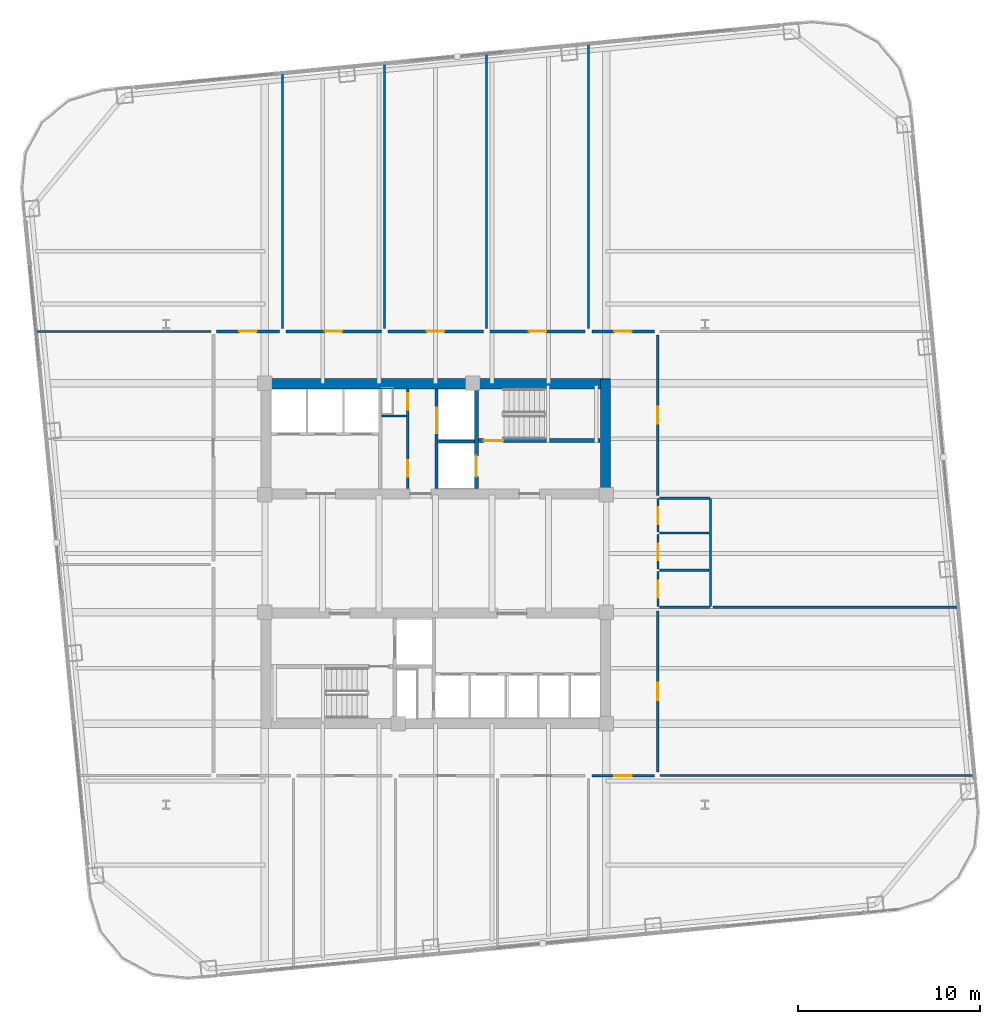
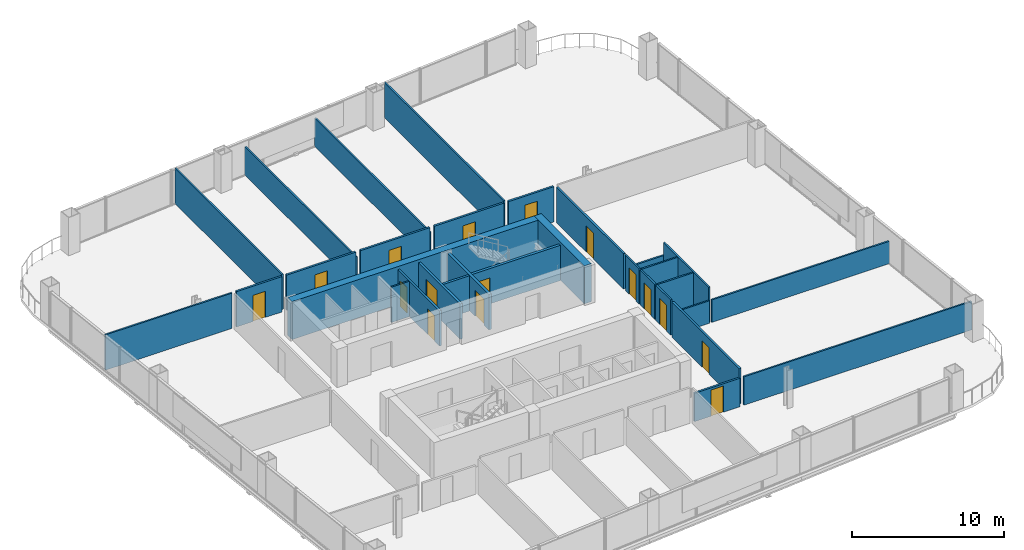
# One storey, part 23 of 27: 31 walls, 16 doors, 16 openings.
"""IFC4 building model written with IfcOpenShell, lengths in metres."""

from ifc_helpers import new_model, si_unit, direction, frame, frame_2d, origin, place, context, subcontext, project, spatial, rectangle, extrude, material, layer, layer_set, type_object, element, fill, save


model = new_model("IFC4")

# Units and contexts
model_context = context("Model", 3, precision=1e-05, world=origin(), true_north=direction((0.0, 1.0)))
body_context = subcontext(model_context, "Body", "Model", "MODEL_VIEW")
ifc_project = project(units=[si_unit("LENGTHUNIT", "METRE"), si_unit("AREAUNIT", "SQUARE_METRE"), si_unit("VOLUMEUNIT", "CUBIC_METRE"), si_unit("PLANEANGLEUNIT", "RADIAN"), si_unit("MASSUNIT", "GRAM", prefix="KILO")], contexts=[model_context])

# Site, building, storey
site_placement = place(None, origin())
site = spatial("IfcSite", under=ifc_project, at=site_placement, CompositionType="ELEMENT")
building_placement = place(site_placement, origin())
building = spatial("IfcBuilding", under=site, at=building_placement, Name="Qhalaya Broadcast Tower", CompositionType="ELEMENT")
storey_placement = place(building_placement, frame((0.0, 0.0, 84.699951171875)))
storey = spatial("IfcBuildingStorey", under=building, at=storey_placement, Name="L24", CompositionType="ELEMENT", Elevation=84.699951171875)

# Wall, openings, doors
ifc_material_1 = material(Name="Gypsum Acoustic Partition")
ifc_layer_1 = layer(ifc_material_1, 0.14990234375, Name="Gypsum Acoustic Partition")
ifc_layer_set_1 = layer_set([ifc_layer_1], Name="Gypsum Acoustic Partition")
wall_type_1 = type_object("IfcWallType", Name="Corridor & Tenancy Acoustic Partition 150", PredefinedType="PARTITIONING", material=ifc_layer_set_1)
wall_1_placement = place(storey_placement, frame((-1.52001953125, 4.169921875, 0.0), z_axis=(0.0, 0.0, 1.0), x_axis=(0.0, 1.0, 0.0)))
wall_1 = element("IfcWall", 1, at=wall_1_placement, inside=storey, type_object=wall_type_1, Name="L24 Partition Wall NCW-SVL", PredefinedType="PARTITIONING", context=body_context, shape_type="SweptSolid", body=[
    extrude(rectangle(XDim=5.4599609375, YDim=0.14990234375, at=frame_2d((2.72998046875, 0.0))), origin(), (0.0, 0.0, 1.0), 2.830078125),
])
opening_1_placement = place(wall_1_placement, frame((4.330078125, 0.0, 0.0)))
opening_1 = element("IfcOpeningElement", 2, at=opening_1_placement, cuts=wall_1, Name="Opening D06", PredefinedType="OPENING", context=body_context, shape_type="SweptSolid", body=[
    extrude(rectangle(XDim=0.89990234375, YDim=2.050048828125, at=frame_2d((0.449951171875, 1.02490234375))), frame((0.0, 0.0869140625, 0.0), z_axis=(0.0, -1.0, 0.0), x_axis=(1.0, 0.0, 0.0)), (0.0, 0.0, 1.0), 0.173828125),
])
opening_2_placement = place(wall_1_placement, frame((0.64990234375, 0.0, 0.0)))
opening_2 = element("IfcOpeningElement", 3, at=opening_2_placement, cuts=wall_1, Name="Opening D06", PredefinedType="OPENING", context=body_context, shape_type="SweptSolid", body=[
    extrude(rectangle(XDim=0.89990234375, YDim=2.050048828125, at=frame_2d((0.449951171875, 1.02490234375))), frame((0.0, 0.0869140625, 0.0), z_axis=(0.0, -1.0, 0.0), x_axis=(1.0, 0.0, 0.0)), (0.0, 0.0, 1.0), 0.173828125),
])
ifc_material_2 = material(Name="Fire-Rated Steel Door", Category="steel")
door_type_1 = type_object("IfcDoorType", Name="Riser & Electrical Shaft Access Door D06", OperationType="NOTDEFINED", PredefinedType="DOOR", material=ifc_material_2)
door_1_placement = place(opening_1_placement, origin())
door_1 = element("IfcDoor", 4, at=door_1_placement, inside=storey, type_object=door_type_1, Name="L24 Riser Shaft Access Door D-NRSR", OperationType="SINGLE_SWING_RIGHT", OverallHeight=2.050048828125, OverallWidth=0.89990234375, PredefinedType="DOOR", context=body_context, shape_type="SweptSolid", body=[
    extrude(rectangle(XDim=0.89990234375, YDim=2.050048828125, at=frame_2d((0.449951171875, 1.02490234375))), frame((0.0, 0.02490234375, 0.0), z_axis=(0.0, -1.0, 0.0), x_axis=(1.0, 0.0, 0.0)), (0.0, 0.0, 1.0), 0.050048828125),
])
fill(opening_1, door_1)
door_2_placement = place(opening_2_placement, origin())
door_2 = element("IfcDoor", 5, at=door_2_placement, inside=storey, type_object=door_type_1, Name="L24 Door D-NCST", OperationType="SINGLE_SWING_LEFT", OverallHeight=2.050048828125, OverallWidth=0.89990234375, PredefinedType="DOOR", context=body_context, shape_type="SweptSolid", body=[
    extrude(rectangle(XDim=0.89990234375, YDim=2.050048828125, at=frame_2d((0.449951171875, 1.02490234375))), frame((0.0, 0.02490234375, 0.0), z_axis=(0.0, -1.0, 0.0), x_axis=(1.0, 0.0, 0.0)), (0.0, 0.0, 1.0), 0.050048828125),
])
fill(opening_2, door_2)

# Wall, opening, door
wall_2_placement = place(storey_placement, frame((-12.02001953125, 12.800048828125, 0.0), z_axis=(0.0, 0.0, 1.0), x_axis=(1.0, 0.0, 0.0)))
wall_2 = element("IfcWall", 6, at=wall_2_placement, inside=storey, type_object=wall_type_1, Name="L24 Partition Wall W-COR-01", PredefinedType="PARTITIONING", context=body_context, shape_type="SweptSolid", body=[
    extrude(rectangle(XDim=3.43994140625, YDim=0.14990234375, at=frame_2d((1.719970703125, 0.0))), origin(), (0.0, 0.0, 1.0), 2.830078125),
])
opening_3_placement = place(wall_2_placement, frame((1.2451171875, 0.0, 0.0)))
opening_3 = element("IfcOpeningElement", 7, at=opening_3_placement, cuts=wall_2, Name="Opening D10", PredefinedType="OPENING", context=body_context, shape_type="SweptSolid", body=[
    extrude(rectangle(XDim=0.949951171875, YDim=2.10009765625, at=frame_2d((0.47509765625, 1.050048828125))), frame((0.0, 0.0869140625, 0.0), z_axis=(0.0, -1.0, 0.0), x_axis=(1.0, 0.0, 0.0)), (0.0, 0.0, 1.0), 0.173828125),
])
ifc_material_3 = material(Name="Timber Veneer Acoustic Door", Category="wood")
door_type_2 = type_object("IfcDoorType", Name="Cellular Office & Edit Booth Door D10", OperationType="NOTDEFINED", PredefinedType="DOOR", material=ifc_material_3)
door_3_placement = place(opening_3_placement, origin())
door_3 = element("IfcDoor", 8, at=door_3_placement, inside=storey, type_object=door_type_2, Name="L24 Door D-RM01", OperationType="SINGLE_SWING_RIGHT", OverallHeight=2.10009765625, OverallWidth=0.949951171875, PredefinedType="DOOR", context=body_context, shape_type="SweptSolid", body=[
    extrude(rectangle(XDim=0.949951171875, YDim=2.10009765625, at=frame_2d((0.47509765625, 1.050048828125))), frame((0.0, 0.02490234375, 0.0), z_axis=(0.0, -1.0, 0.0), x_axis=(1.0, 0.0, 0.0)), (0.0, 0.0, 1.0), 0.050048828125),
])
fill(opening_3, door_3)

wall_3_placement = place(storey_placement, frame((-8.219970703125, 12.800048828125, 0.0), z_axis=(0.0, 0.0, 1.0), x_axis=(1.0, 0.0, 0.0)))
wall_3 = element("IfcWall", 9, at=wall_3_placement, inside=storey, type_object=wall_type_1, Name="L24 Partition Wall W-COR-02", PredefinedType="PARTITIONING", context=body_context, shape_type="SweptSolid", body=[
    extrude(rectangle(XDim=5.239990234375, YDim=0.14990234375, at=frame_2d((2.6201171875, 0.0))), origin(), (0.0, 0.0, 1.0), 2.830078125),
])
opening_4_placement = place(wall_3_placement, frame((2.14501953125, 0.0, 0.0)))
opening_4 = element("IfcOpeningElement", 10, at=opening_4_placement, cuts=wall_3, Name="Opening D10", PredefinedType="OPENING", context=body_context, shape_type="SweptSolid", body=[
    extrude(rectangle(XDim=0.949951171875, YDim=2.10009765625, at=frame_2d((0.47509765625, 1.050048828125))), frame((0.0, 0.0869140625, 0.0), z_axis=(0.0, -1.0, 0.0), x_axis=(1.0, 0.0, 0.0)), (0.0, 0.0, 1.0), 0.173828125),
])
door_4_placement = place(opening_4_placement, origin())
door_4 = element("IfcDoor", 11, at=door_4_placement, inside=storey, type_object=door_type_2, Name="L24 Door D-RM02", OperationType="SINGLE_SWING_LEFT", OverallHeight=2.10009765625, OverallWidth=0.949951171875, PredefinedType="DOOR", context=body_context, shape_type="SweptSolid", body=[
    extrude(rectangle(XDim=0.949951171875, YDim=2.10009765625, at=frame_2d((0.47509765625, 1.050048828125))), frame((0.0, 0.02490234375, 0.0), z_axis=(0.0, -1.0, 0.0), x_axis=(1.0, 0.0, 0.0)), (0.0, 0.0, 1.0), 0.050048828125),
])
fill(opening_4, door_4)

wall_4_placement = place(storey_placement, frame((-2.6201171875, 12.800048828125, 0.0), z_axis=(0.0, 0.0, 1.0), x_axis=(1.0, 0.0, 0.0)))
wall_4 = element("IfcWall", 12, at=wall_4_placement, inside=storey, type_object=wall_type_1, Name="L24 Partition Wall W-COR-03", PredefinedType="PARTITIONING", context=body_context, shape_type="SweptSolid", body=[
    extrude(rectangle(XDim=5.240234375, YDim=0.14990234375, at=frame_2d((2.6201171875, 0.0))), origin(), (0.0, 0.0, 1.0), 2.830078125),
])
opening_5_placement = place(wall_4_placement, frame((2.14501953125, 0.0, 0.0)))
opening_5 = element("IfcOpeningElement", 13, at=opening_5_placement, cuts=wall_4, Name="Opening D10", PredefinedType="OPENING", context=body_context, shape_type="SweptSolid", body=[
    extrude(rectangle(XDim=0.949951171875, YDim=2.10009765625, at=frame_2d((0.47509765625, 1.050048828125))), frame((0.0, 0.0869140625, 0.0), z_axis=(0.0, -1.0, 0.0), x_axis=(1.0, 0.0, 0.0)), (0.0, 0.0, 1.0), 0.173828125),
])
door_5_placement = place(opening_5_placement, origin())
door_5 = element("IfcDoor", 14, at=door_5_placement, inside=storey, type_object=door_type_2, Name="L24 Door D-RM03", OperationType="SINGLE_SWING_RIGHT", OverallHeight=2.10009765625, OverallWidth=0.949951171875, PredefinedType="DOOR", context=body_context, shape_type="SweptSolid", body=[
    extrude(rectangle(XDim=0.949951171875, YDim=2.10009765625, at=frame_2d((0.47509765625, 1.050048828125))), frame((0.0, 0.02490234375, 0.0), z_axis=(0.0, -1.0, 0.0), x_axis=(1.0, 0.0, 0.0)), (0.0, 0.0, 1.0), 0.050048828125),
])
fill(opening_5, door_5)

wall_5_placement = place(storey_placement, frame((2.97998046875, 12.800048828125, 0.0), z_axis=(0.0, 0.0, 1.0), x_axis=(1.0, 0.0, 0.0)))
wall_5 = element("IfcWall", 15, at=wall_5_placement, inside=storey, type_object=wall_type_1, Name="L24 Partition Wall W-COR-04", PredefinedType="PARTITIONING", context=body_context, shape_type="SweptSolid", body=[
    extrude(rectangle(XDim=5.239990234375, YDim=0.14990234375, at=frame_2d((2.6201171875, 0.0))), origin(), (0.0, 0.0, 1.0), 2.830078125),
])
opening_6_placement = place(wall_5_placement, frame((2.14501953125, 0.0, 0.0)))
opening_6 = element("IfcOpeningElement", 16, at=opening_6_placement, cuts=wall_5, Name="Opening D10", PredefinedType="OPENING", context=body_context, shape_type="SweptSolid", body=[
    extrude(rectangle(XDim=0.949951171875, YDim=2.10009765625, at=frame_2d((0.47509765625, 1.050048828125))), frame((0.0, 0.0869140625, 0.0), z_axis=(0.0, -1.0, 0.0), x_axis=(1.0, 0.0, 0.0)), (0.0, 0.0, 1.0), 0.173828125),
])
door_6_placement = place(opening_6_placement, origin())
door_6 = element("IfcDoor", 17, at=door_6_placement, inside=storey, type_object=door_type_2, Name="L24 Door D-RM04", OperationType="SINGLE_SWING_LEFT", OverallHeight=2.10009765625, OverallWidth=0.949951171875, PredefinedType="DOOR", context=body_context, shape_type="SweptSolid", body=[
    extrude(rectangle(XDim=0.949951171875, YDim=2.10009765625, at=frame_2d((0.47509765625, 1.050048828125))), frame((0.0, 0.02490234375, 0.0), z_axis=(0.0, -1.0, 0.0), x_axis=(1.0, 0.0, 0.0)), (0.0, 0.0, 1.0), 0.050048828125),
])
fill(opening_6, door_6)

wall_6_placement = place(storey_placement, frame((8.580078125, 12.800048828125, 0.0), z_axis=(0.0, 0.0, 1.0), x_axis=(1.0, 0.0, 0.0)))
wall_6 = element("IfcWall", 18, at=wall_6_placement, inside=storey, type_object=wall_type_1, Name="L24 Partition Wall W-COR-05", PredefinedType="PARTITIONING", context=body_context, shape_type="SweptSolid", body=[
    extrude(rectangle(XDim=3.43994140625, YDim=0.14990234375, at=frame_2d((1.719970703125, 0.0))), origin(), (0.0, 0.0, 1.0), 2.830078125),
])
opening_7_placement = place(wall_6_placement, frame((1.2451171875, 0.0, 0.0)))
opening_7 = element("IfcOpeningElement", 19, at=opening_7_placement, cuts=wall_6, Name="Opening D10", PredefinedType="OPENING", context=body_context, shape_type="SweptSolid", body=[
    extrude(rectangle(XDim=0.949951171875, YDim=2.10009765625, at=frame_2d((0.47509765625, 1.050048828125))), frame((0.0, 0.0869140625, 0.0), z_axis=(0.0, -1.0, 0.0), x_axis=(1.0, 0.0, 0.0)), (0.0, 0.0, 1.0), 0.173828125),
])
door_7_placement = place(opening_7_placement, origin())
door_7 = element("IfcDoor", 20, at=door_7_placement, inside=storey, type_object=door_type_2, Name="L24 Door D-RM05", OperationType="SINGLE_SWING_RIGHT", OverallHeight=2.10009765625, OverallWidth=0.949951171875, PredefinedType="DOOR", context=body_context, shape_type="SweptSolid", body=[
    extrude(rectangle(XDim=0.949951171875, YDim=2.10009765625, at=frame_2d((0.47509765625, 1.050048828125))), frame((0.0, 0.02490234375, 0.0), z_axis=(0.0, -1.0, 0.0), x_axis=(1.0, 0.0, 0.0)), (0.0, 0.0, 1.0), 0.050048828125),
])
fill(opening_7, door_7)

wall_7_placement = place(storey_placement, frame((8.580078125, -11.60009765625, 0.0), z_axis=(0.0, 0.0, 1.0), x_axis=(1.0, 0.0, 0.0)))
wall_7 = element("IfcWall", 21, at=wall_7_placement, inside=storey, type_object=wall_type_1, Name="L24 Partition Wall W-COR-10", PredefinedType="PARTITIONING", context=body_context, shape_type="SweptSolid", body=[
    extrude(rectangle(XDim=3.43994140625, YDim=0.14990234375, at=frame_2d((1.719970703125, 0.0))), origin(), (0.0, 0.0, 1.0), 2.274169921875),
])
opening_8_placement = place(wall_7_placement, frame((1.2451171875, 0.0, 0.0)))
opening_8 = element("IfcOpeningElement", 22, at=opening_8_placement, cuts=wall_7, Name="Opening D10", PredefinedType="OPENING", context=body_context, shape_type="SweptSolid", body=[
    extrude(rectangle(XDim=0.949951171875, YDim=2.10009765625, at=frame_2d((0.47509765625, 1.050048828125))), frame((0.0, 0.0869140625, 0.0), z_axis=(0.0, -1.0, 0.0), x_axis=(1.0, 0.0, 0.0)), (0.0, 0.0, 1.0), 0.173828125),
])
door_8_placement = place(opening_8_placement, origin())
door_8 = element("IfcDoor", 23, at=door_8_placement, inside=storey, type_object=door_type_2, Name="L24 Door D-RM10", OperationType="SINGLE_SWING_LEFT", OverallHeight=2.10009765625, OverallWidth=0.949951171875, PredefinedType="DOOR", context=body_context, shape_type="SweptSolid", body=[
    extrude(rectangle(XDim=0.949951171875, YDim=2.10009765625, at=frame_2d((0.47509765625, 1.050048828125))), frame((0.0, 0.02490234375, 0.0), z_axis=(0.0, -1.0, 0.0), x_axis=(1.0, 0.0, 0.0)), (0.0, 0.0, 1.0), 0.050048828125),
])
fill(opening_8, door_8)

wall_8_placement = place(storey_placement, frame((12.199951171875, -11.39990234375, 0.0), z_axis=(0.0, 0.0, 1.0), x_axis=(0.0, 1.0, 0.0)))
wall_8 = element("IfcWall", 24, at=wall_8_placement, inside=storey, type_object=wall_type_1, Name="L24 Partition Wall W-COR-13", PredefinedType="PARTITIONING", context=body_context, shape_type="SweptSolid", body=[
    extrude(rectangle(XDim=8.83984375, YDim=0.14990234375, at=frame_2d((4.419921875, 0.0))), origin(), (0.0, 0.0, 1.0), 2.830078125),
])
opening_9_placement = place(wall_8_placement, frame((3.945068359375, 0.0, 0.0)))
opening_9 = element("IfcOpeningElement", 25, at=opening_9_placement, cuts=wall_8, Name="Opening D10", PredefinedType="OPENING", context=body_context, shape_type="SweptSolid", body=[
    extrude(rectangle(XDim=0.949951171875, YDim=2.10009765625, at=frame_2d((0.47509765625, 1.050048828125))), frame((0.0, 0.0869140625, 0.0), z_axis=(0.0, -1.0, 0.0), x_axis=(1.0, 0.0, 0.0)), (0.0, 0.0, 1.0), 0.173828125),
])
door_9_placement = place(opening_9_placement, origin())
door_9 = element("IfcDoor", 26, at=door_9_placement, inside=storey, type_object=door_type_2, Name="L24 Door D-RM13", OperationType="SINGLE_SWING_RIGHT", OverallHeight=2.10009765625, OverallWidth=0.949951171875, PredefinedType="DOOR", context=body_context, shape_type="SweptSolid", body=[
    extrude(rectangle(XDim=0.949951171875, YDim=2.10009765625, at=frame_2d((0.47509765625, 1.050048828125))), frame((0.0, 0.02490234375, 0.0), z_axis=(0.0, -1.0, 0.0), x_axis=(1.0, 0.0, 0.0)), (0.0, 0.0, 1.0), 0.050048828125),
])
fill(opening_9, door_9)

wall_9_placement = place(storey_placement, frame((12.199951171875, 3.800048828125, 0.0), z_axis=(0.0, 0.0, 1.0), x_axis=(0.0, 1.0, 0.0)))
wall_9 = element("IfcWall", 27, at=wall_9_placement, inside=storey, type_object=wall_type_1, Name="L24 Partition Wall W-COR-14", PredefinedType="PARTITIONING", context=body_context, shape_type="SweptSolid", body=[
    extrude(rectangle(XDim=8.800048828125, YDim=0.14990234375, at=frame_2d((4.39990234375, 0.0))), origin(), (0.0, 0.0, 1.0), 2.830078125),
])
opening_10_placement = place(wall_9_placement, frame((3.925048828125, 0.0, 0.0)))
opening_10 = element("IfcOpeningElement", 28, at=opening_10_placement, cuts=wall_9, Name="Opening D10", PredefinedType="OPENING", context=body_context, shape_type="SweptSolid", body=[
    extrude(rectangle(XDim=0.949951171875, YDim=2.10009765625, at=frame_2d((0.47509765625, 1.050048828125))), frame((0.0, 0.0869140625, 0.0), z_axis=(0.0, -1.0, 0.0), x_axis=(1.0, 0.0, 0.0)), (0.0, 0.0, 1.0), 0.173828125),
])
door_10_placement = place(opening_10_placement, origin())
door_10 = element("IfcDoor", 29, at=door_10_placement, inside=storey, type_object=door_type_2, Name="L24 Door D-RM14", OperationType="SINGLE_SWING_LEFT", OverallHeight=2.10009765625, OverallWidth=0.949951171875, PredefinedType="DOOR", context=body_context, shape_type="SweptSolid", body=[
    extrude(rectangle(XDim=0.949951171875, YDim=2.10009765625, at=frame_2d((0.47509765625, 1.050048828125))), frame((0.0, 0.02490234375, 0.0), z_axis=(0.0, -1.0, 0.0), x_axis=(1.0, 0.0, 0.0)), (0.0, 0.0, 1.0), 0.050048828125),
])
fill(opening_10, door_10)

ifc_material_4 = material(Name="Concrete C50/60", Category="concrete")
ifc_layer_2 = layer(ifc_material_4, 0.199951171875, Name="Concrete C50/60")
ifc_layer_set_2 = layer_set([ifc_layer_2], Name="Concrete C50/60")
wall_type_2 = type_object("IfcWallType", Name="Load-Bearing Stair Shaft Wall 200", PredefinedType="SHEAR", material=ifc_layer_set_2)
wall_10_placement = place(storey_placement, frame((2.360107421875, 6.804931640625, 0.0), z_axis=(0.0, 0.0, 1.0), x_axis=(1.0, 0.0, 0.0)))
wall_10 = element("IfcWall", 30, at=wall_10_placement, inside=storey, type_object=wall_type_2, Name="L24 Stair Core Shear Wall NCW-ST1", PredefinedType="SHEAR", context=body_context, shape_type="SweptSolid", body=[
    extrude(rectangle(XDim=6.669921875, YDim=0.199951171875, at=frame_2d((3.3349609375, 0.0))), origin(), (0.0, 0.0, 1.0), 2.830078125),
])
opening_11_placement = place(wall_10_placement, frame((0.300048828125, 0.0, 0.0)))
opening_11 = element("IfcOpeningElement", 31, at=opening_11_placement, cuts=wall_10, Name="Opening D03", PredefinedType="OPENING", context=body_context, shape_type="SweptSolid", body=[
    extrude(rectangle(XDim=1.050048828125, YDim=2.080078125, at=frame_2d((0.52490234375, 1.0400390625))), frame((0.0, 0.112060546875, 0.0), z_axis=(0.0, -1.0, 0.0), x_axis=(1.0, 0.0, 0.0)), (0.0, 0.0, 1.0), 0.223876953125),
])
door_type_3 = type_object("IfcDoorType", Name="Core Stair Protected Fire Door D03", OperationType="NOTDEFINED", PredefinedType="DOOR", material=ifc_material_2)
door_11_placement = place(opening_11_placement, origin())
door_11 = element("IfcDoor", 32, at=door_11_placement, inside=storey, type_object=door_type_3, Name="L24 Door D-NST1", OperationType="SINGLE_SWING_LEFT", OverallHeight=2.080078125, OverallWidth=1.050048828125, PredefinedType="DOOR", context=body_context, shape_type="SweptSolid", body=[
    extrude(rectangle(XDim=1.050048828125, YDim=2.080078125, at=frame_2d((0.52490234375, 1.0400390625))), frame((0.0, 0.02490234375, 0.0), z_axis=(0.0, -1.0, 0.0), x_axis=(1.0, 0.0, 0.0)), (0.0, 0.0, 1.0), 0.050048828125),
])
fill(opening_11, door_11)

wall_11_placement = place(storey_placement, frame((2.25, 4.169921875, 0.0), z_axis=(0.0, 0.0, 1.0), x_axis=(0.0, 1.0, 0.0)))
wall_11 = element("IfcWall", 33, at=wall_11_placement, inside=storey, type_object=wall_type_2, Name="L24 Stair Core Shear Wall NCW-FF", PredefinedType="SHEAR", context=body_context, shape_type="SweptSolid", body=[
    extrude(rectangle(XDim=5.4599609375, YDim=0.199951171875, at=frame_2d((2.72998046875, 0.0))), origin(), (0.0, 0.0, 1.0), 2.830078125),
])
opening_12_placement = place(wall_11_placement, frame((0.64990234375, 0.0, 0.0)))
opening_12 = element("IfcOpeningElement", 34, at=opening_12_placement, cuts=wall_11, Name="Opening LD2", PredefinedType="OPENING", context=body_context, shape_type="SweptSolid", body=[
    extrude(rectangle(XDim=1.14990234375, YDim=2.080078125, at=frame_2d((0.574951171875, 1.0400390625))), frame((0.0, 0.112060546875, 0.0), z_axis=(0.0, -1.0, 0.0), x_axis=(1.0, 0.0, 0.0)), (0.0, 0.0, 1.0), 0.223876953125),
])
ifc_material_5 = material(Name="Brushed Stainless Steel Lift Door", Category="steel")
door_type_4 = type_object("IfcDoorType", Name="Firefighting Lift Sliding Landing Door LD2", OperationType="DOUBLE_DOOR_SLIDING", PredefinedType="DOOR", material=ifc_material_5)
door_12_placement = place(opening_12_placement, origin())
door_12 = element("IfcDoor", 35, at=door_12_placement, inside=storey, type_object=door_type_4, Name="L24 Door LD-FF1", OperationType="DOUBLE_DOOR_SLIDING", OverallHeight=2.080078125, OverallWidth=1.14990234375, PredefinedType="DOOR", context=body_context, shape_type="SweptSolid", body=[
    extrude(rectangle(XDim=1.14990234375, YDim=2.080078125, at=frame_2d((0.574951171875, 1.0400390625))), frame((0.0, 0.02490234375, 0.0), z_axis=(0.0, -1.0, 0.0), x_axis=(1.0, 0.0, 0.0)), (0.0, 0.0, 1.0), 0.050048828125),
])
fill(opening_12, door_12)

# Walls
ifc_material_6 = material(Name="Concrete C60/75", Category="concrete")
ifc_layer_3 = layer(ifc_material_6, 0.550048828125, Name="Concrete C60/75")
ifc_layer_set_3 = layer_set([ifc_layer_3], Name="Concrete C60/75")
wall_type_3 = type_object("IfcWallType", Name="Lower Split-Core Shear Wall 550", PredefinedType="SHEAR", material=ifc_layer_set_3)
wall_12_placement = place(storey_placement, frame((-9.60009765625, 9.925048828125, 0.0), z_axis=(0.0, 0.0, 1.0), x_axis=(1.0, 0.0, 0.0)))
element("IfcWall", 36, at=wall_12_placement, inside=storey, type_object=wall_type_3, Name="L24 Split-Core Shear Wall CW-NN", PredefinedType="SHEAR", context=body_context, shape_type="SweptSolid", body=[
    extrude(rectangle(XDim=19.2001953125, YDim=0.550048828125, at=frame_2d((9.60009765625, 0.0))), origin(), (0.0, 0.0, 1.0), 3.050048828125),
])
wall_13_placement = place(storey_placement, frame((9.324951171875, 3.60009765625, 0.0), z_axis=(0.0, 0.0, 1.0), x_axis=(0.0, 1.0, 0.0)))
element("IfcWall", 37, at=wall_13_placement, inside=storey, type_object=wall_type_3, Name="L24 Split-Core Shear Wall CW-NE", PredefinedType="SHEAR", context=body_context, shape_type="SweptSolid", body=[
    extrude(rectangle(XDim=6.599853515625, YDim=0.550048828125, at=frame_2d((3.2998046875, 0.0))), origin(), (0.0, 0.0, 1.0), 3.050048828125),
])
ifc_layer_4 = layer(ifc_material_1, 0.1201171875, Name="Gypsum Acoustic Partition")
ifc_layer_set_4 = layer_set([ifc_layer_4], Name="Gypsum Acoustic Partition")
wall_type_4 = type_object("IfcWallType", Name="Office, Booth & Sanitary Partition 120", PredefinedType="PARTITIONING", material=ifc_layer_set_4)
wall_14_placement = place(storey_placement, frame((-2.9599609375, 8.14990234375, 0.0), z_axis=(0.0, 0.0, 1.0), x_axis=(1.0, 0.0, 0.0)))
element("IfcWall", 38, at=wall_14_placement, inside=storey, type_object=wall_type_4, Name="L24 Partition Wall NCW-VA", PredefinedType="PARTITIONING", context=body_context, shape_type="SweptSolid", body=[
    extrude(rectangle(XDim=1.35986328125, YDim=0.1201171875, at=frame_2d((0.679931640625, 0.0))), origin(), (0.0, 0.0, 1.0), 2.830078125),
])

# Wall, opening, door
wall_15_placement = place(storey_placement, frame((12.219970703125, -2.320068359375, 0.0), z_axis=(0.0, 0.0, 1.0), x_axis=(0.0, 1.0, 0.0)))
wall_15 = element("IfcWall", 39, at=wall_15_placement, inside=storey, type_object=wall_type_4, Name="L24 Partition Wall W-WCWA", PredefinedType="PARTITIONING", context=body_context, shape_type="SweptSolid", body=[
    extrude(rectangle(XDim=1.940185546875, YDim=0.1201171875, at=frame_2d((0.97021484375, 0.0))), origin(), (0.0, 0.0, 1.0), 2.830078125),
])
opening_13_placement = place(wall_15_placement, frame((0.4951171875, 0.0, 0.0)))
opening_13 = element("IfcOpeningElement", 40, at=opening_13_placement, cuts=wall_15, Name="Opening D12", PredefinedType="OPENING", context=body_context, shape_type="SweptSolid", body=[
    extrude(rectangle(XDim=0.919921875, YDim=2.10009765625, at=frame_2d((0.4599609375, 1.050048828125))), frame((0.0, 0.072021484375, 0.0), z_axis=(0.0, -1.0, 0.0), x_axis=(1.0, 0.0, 0.0)), (0.0, 0.0, 1.0), 0.14404296875),
])
door_type_5 = type_object("IfcDoorType", Name="Accessible WC & Restroom Door D12", OperationType="NOTDEFINED", PredefinedType="DOOR", material=ifc_material_3)
door_13_placement = place(opening_13_placement, origin())
door_13 = element("IfcDoor", 41, at=door_13_placement, inside=storey, type_object=door_type_5, Name="L24 Door D-WCA", OperationType="SINGLE_SWING_LEFT", OverallHeight=2.10009765625, OverallWidth=0.919921875, PredefinedType="DOOR", context=body_context, shape_type="SweptSolid", body=[
    extrude(rectangle(XDim=0.919921875, YDim=2.10009765625, at=frame_2d((0.4599609375, 1.050048828125))), frame((0.0, 0.02490234375, 0.0), z_axis=(0.0, -1.0, 0.0), x_axis=(1.0, 0.0, 0.0)), (0.0, 0.0, 1.0), 0.050048828125),
])
fill(opening_13, door_13)

wall_16_placement = place(storey_placement, frame((12.219970703125, -0.25, 0.0), z_axis=(0.0, 0.0, 1.0), x_axis=(0.0, 1.0, 0.0)))
wall_16 = element("IfcWall", 42, at=wall_16_placement, inside=storey, type_object=wall_type_4, Name="L24 Partition Wall W-WCWM", PredefinedType="PARTITIONING", context=body_context, shape_type="SweptSolid", body=[
    extrude(rectangle(XDim=1.89990234375, YDim=0.1201171875, at=frame_2d((0.949951171875, 0.0))), origin(), (0.0, 0.0, 1.0), 2.830078125),
])
opening_14_placement = place(wall_16_placement, frame((0.47509765625, 0.0, 0.0)))
opening_14 = element("IfcOpeningElement", 43, at=opening_14_placement, cuts=wall_16, Name="Opening D12", PredefinedType="OPENING", context=body_context, shape_type="SweptSolid", body=[
    extrude(rectangle(XDim=0.919921875, YDim=2.10009765625, at=frame_2d((0.4599609375, 1.050048828125))), frame((0.0, 0.072021484375, 0.0), z_axis=(0.0, -1.0, 0.0), x_axis=(1.0, 0.0, 0.0)), (0.0, 0.0, 1.0), 0.14404296875),
])
door_14_placement = place(opening_14_placement, origin())
door_14 = element("IfcDoor", 44, at=door_14_placement, inside=storey, type_object=door_type_5, Name="L24 Door D-WCM", OperationType="SINGLE_SWING_RIGHT", OverallHeight=2.10009765625, OverallWidth=0.919921875, PredefinedType="DOOR", context=body_context, shape_type="SweptSolid", body=[
    extrude(rectangle(XDim=0.919921875, YDim=2.10009765625, at=frame_2d((0.4599609375, 1.050048828125))), frame((0.0, 0.02490234375, 0.0), z_axis=(0.0, -1.0, 0.0), x_axis=(1.0, 0.0, 0.0)), (0.0, 0.0, 1.0), 0.050048828125),
])
fill(opening_14, door_14)

wall_17_placement = place(storey_placement, frame((12.219970703125, 1.780029296875, 0.0), z_axis=(0.0, 0.0, 1.0), x_axis=(0.0, 1.0, 0.0)))
wall_17 = element("IfcWall", 45, at=wall_17_placement, inside=storey, type_object=wall_type_4, Name="L24 Partition Wall W-WCWF", PredefinedType="PARTITIONING", context=body_context, shape_type="SweptSolid", body=[
    extrude(rectangle(XDim=1.830078125, YDim=0.1201171875, at=frame_2d((0.9150390625, 0.0))), origin(), (0.0, 0.0, 1.0), 2.830078125),
])
opening_15_placement = place(wall_17_placement, frame((0.43994140625, 0.0, 0.0)))
opening_15 = element("IfcOpeningElement", 46, at=opening_15_placement, cuts=wall_17, Name="Opening D12", PredefinedType="OPENING", context=body_context, shape_type="SweptSolid", body=[
    extrude(rectangle(XDim=0.919921875, YDim=2.10009765625, at=frame_2d((0.4599609375, 1.050048828125))), frame((0.0, 0.072021484375, 0.0), z_axis=(0.0, -1.0, 0.0), x_axis=(1.0, 0.0, 0.0)), (0.0, 0.0, 1.0), 0.14404296875),
])
door_15_placement = place(opening_15_placement, origin())
door_15 = element("IfcDoor", 47, at=door_15_placement, inside=storey, type_object=door_type_5, Name="L24 Door D-WCF", OperationType="SINGLE_SWING_LEFT", OverallHeight=2.10009765625, OverallWidth=0.919921875, PredefinedType="DOOR", context=body_context, shape_type="SweptSolid", body=[
    extrude(rectangle(XDim=0.919921875, YDim=2.10009765625, at=frame_2d((0.4599609375, 1.050048828125))), frame((0.0, 0.02490234375, 0.0), z_axis=(0.0, -1.0, 0.0), x_axis=(1.0, 0.0, 0.0)), (0.0, 0.0, 1.0), 0.050048828125),
])
fill(opening_15, door_15)

# Walls
wall_18_placement = place(storey_placement, frame((15.10009765625, -2.320068359375, 0.0), z_axis=(0.0, 0.0, 1.0), x_axis=(0.0, 1.0, 0.0)))
element("IfcWall", 48, at=wall_18_placement, inside=storey, type_object=wall_type_4, Name="L24 Partition Wall W-WCE", PredefinedType="PARTITIONING", context=body_context, shape_type="SweptSolid", body=[
    extrude(rectangle(XDim=5.93017578125, YDim=0.1201171875, at=frame_2d((2.965087890625, 0.0))), origin(), (0.0, 0.0, 1.0), 2.830078125),
])
for number, where, z_axis, x_axis, name in (
    (49, (12.31005859375, -2.35009765625, 0.0), (0.0, 0.0, 1.0), (1.0, 0.0, 0.0), "L24 Partition Wall W-WCS"),
    (50, (12.31005859375, 3.639892578125, 0.0), (0.0, 0.0, 1.0), (1.0, 0.0, 0.0), "L24 Partition Wall W-WCN"),
):
    element("IfcWall", number, at=place(storey_placement, frame(where, z_axis=z_axis, x_axis=x_axis)), inside=storey, type_object=wall_type_4, Name=name, PredefinedType="PARTITIONING", context=body_context, shape_type="SweptSolid", body=[
        extrude(rectangle(XDim=2.760009765625, YDim=0.1201171875, at=frame_2d((1.3798828125, 0.0))), origin(), (0.0, 0.0, 1.0), 1.799072265625),
    ])
for number, where, z_axis, x_axis, name in (
    (51, (12.31005859375, -0.320068359375, 0.0), (0.0, 0.0, 1.0), (1.0, 0.0, 0.0), "L24 Partition Wall W-WCD1"),
    (52, (12.31005859375, 1.719970703125, 0.0), (0.0, 0.0, 1.0), (1.0, 0.0, 0.0), "L24 Partition Wall W-WCD2"),
):
    element("IfcWall", number, at=place(storey_placement, frame(where, z_axis=z_axis, x_axis=x_axis)), inside=storey, type_object=wall_type_4, Name=name, PredefinedType="PARTITIONING", context=body_context, shape_type="SweptSolid", body=[
        extrude(rectangle(XDim=2.719970703125, YDim=0.1201171875, at=frame_2d((1.35986328125, 0.0))), origin(), (0.0, 0.0, 1.0), 2.830078125),
    ])
wall_19_placement = place(storey_placement, frame((-21.94482421875, 12.800048828125, 0.0), z_axis=(0.0, 0.0, 1.0), x_axis=(1.0, 0.0, 0.0)))
element("IfcWall", 53, at=wall_19_placement, inside=storey, type_object=wall_type_4, Name="L24 Partition Wall W-BNDW1", PredefinedType="PARTITIONING", context=body_context, shape_type="SweptSolid", body=[
    extrude(rectangle(XDim=9.604736328125, YDim=0.1201171875, at=frame_2d((4.80224609375, 0.0))), origin(), (0.0, 0.0, 1.0), 2.830078125),
])
wall_20_placement = place(storey_placement, frame((12.340087890625, -11.60009765625, 0.0), z_axis=(0.0, 0.0, 1.0), x_axis=(1.0, 0.0, 0.0)))
element("IfcWall", 54, at=wall_20_placement, inside=storey, type_object=wall_type_4, Name="L24 Partition Wall W-BNDE2", PredefinedType="PARTITIONING", context=body_context, shape_type="SweptSolid", body=[
    extrude(rectangle(XDim=17.2509765625, YDim=0.1201171875, at=frame_2d((8.62548828125, 0.0))), origin(), (0.0, 0.0, 1.0), 2.274169921875),
])
wall_21_placement = place(storey_placement, frame((-8.39990234375, 12.9599609375, 0.0), z_axis=(0.0, 0.0, 1.0), x_axis=(0.0, 1.0, 0.0)))
element("IfcWall", 55, at=wall_21_placement, inside=storey, type_object=wall_type_4, Name="L24 Partition Wall W-DIVN1", PredefinedType="PARTITIONING", context=body_context, shape_type="SweptSolid", body=[
    extrude(rectangle(XDim=14.0234375, YDim=0.1201171875, at=frame_2d((7.01171875, 0.0))), origin(), (0.0, 0.0, 1.0), 2.830078125),
])
wall_22_placement = place(storey_placement, frame((-2.800048828125, 12.9599609375, 0.0), z_axis=(0.0, 0.0, 1.0), x_axis=(0.0, 1.0, 0.0)))
element("IfcWall", 56, at=wall_22_placement, inside=storey, type_object=wall_type_4, Name="L24 Partition Wall W-DIVN2", PredefinedType="PARTITIONING", context=body_context, shape_type="SweptSolid", body=[
    extrude(rectangle(XDim=14.562744140625, YDim=0.1201171875, at=frame_2d((7.28125, 0.0))), origin(), (0.0, 0.0, 1.0), 2.274169921875),
])
wall_23_placement = place(storey_placement, frame((2.800048828125, 12.9599609375, 0.0), z_axis=(0.0, 0.0, 1.0), x_axis=(0.0, 1.0, 0.0)))
element("IfcWall", 57, at=wall_23_placement, inside=storey, type_object=wall_type_4, Name="L24 Partition Wall W-DIVN3", PredefinedType="PARTITIONING", context=body_context, shape_type="SweptSolid", body=[
    extrude(rectangle(XDim=15.10205078125, YDim=0.1201171875, at=frame_2d((7.551025390625, 0.0))), origin(), (0.0, 0.0, 1.0), 2.274169921875),
])
wall_24_placement = place(storey_placement, frame((8.39990234375, 12.9599609375, 0.0), z_axis=(0.0, 0.0, 1.0), x_axis=(0.0, 1.0, 0.0)))
element("IfcWall", 58, at=wall_24_placement, inside=storey, type_object=wall_type_4, Name="L24 Partition Wall W-DIVN4", PredefinedType="PARTITIONING", context=body_context, shape_type="SweptSolid", body=[
    extrude(rectangle(XDim=15.641357421875, YDim=0.1201171875, at=frame_2d((7.82080078125, 0.0))), origin(), (0.0, 0.0, 1.0), 2.830078125),
])
wall_25_placement = place(storey_placement, frame((15.239990234375, -2.35009765625, 0.0), z_axis=(0.0, 0.0, 1.0), x_axis=(1.0, 0.0, 0.0)))
element("IfcWall", 59, at=wall_25_placement, inside=storey, type_object=wall_type_4, Name="L24 Partition Wall W-DIVE-WC", PredefinedType="PARTITIONING", context=body_context, shape_type="SweptSolid", body=[
    extrude(rectangle(XDim=13.46044921875, YDim=0.1201171875, at=frame_2d((6.730224609375, 0.0))), origin(), (0.0, 0.0, 1.0), 1.799072265625),
])

# Wall, opening, door
ifc_layer_5 = layer(ifc_material_1, 0.175048828125, Name="Gypsum Acoustic Partition")
ifc_layer_set_5 = layer_set([ifc_layer_5], Name="Gypsum Acoustic Partition")
wall_type_5 = type_object("IfcWallType", Name="Shaft & Riser Fire Partition 175", PredefinedType="PARTITIONING", material=ifc_layer_set_5)
wall_26_placement = place(storey_placement, frame((0.06005859375, 4.169921875, 0.0), z_axis=(0.0, 0.0, 1.0), x_axis=(0.0, 1.0, 0.0)))
wall_26 = element("IfcWall", 60, at=wall_26_placement, inside=storey, type_object=wall_type_5, Name="L24 Partition Wall NCW-SVW", PredefinedType="PARTITIONING", context=body_context, shape_type="SweptSolid", body=[
    extrude(rectangle(XDim=5.4599609375, YDim=0.175048828125, at=frame_2d((2.72998046875, 0.0))), origin(), (0.0, 0.0, 1.0), 2.830078125),
])
opening_16_placement = place(wall_26_placement, frame((3.050048828125, 0.0, 0.0)))
opening_16 = element("IfcOpeningElement", 61, at=opening_16_placement, cuts=wall_26, Name="Opening LD3", PredefinedType="OPENING", context=body_context, shape_type="SweptSolid", body=[
    extrude(rectangle(XDim=1.39990234375, YDim=2.1201171875, at=frame_2d((0.699951171875, 1.06005859375))), frame((0.0, 0.099609375, 0.0), z_axis=(0.0, -1.0, 0.0), x_axis=(1.0, 0.0, 0.0)), (0.0, 0.0, 1.0), 0.198974609375),
])
door_type_6 = type_object("IfcDoorType", Name="Service Lift Wide Sliding Landing Door LD3", OperationType="DOUBLE_DOOR_SLIDING", PredefinedType="DOOR", material=ifc_material_5)
door_16_placement = place(opening_16_placement, origin())
door_16 = element("IfcDoor", 62, at=door_16_placement, inside=storey, type_object=door_type_6, Name="L24 Door LD-SV1", OperationType="DOUBLE_DOOR_SLIDING", OverallHeight=2.1201171875, OverallWidth=1.39990234375, PredefinedType="DOOR", context=body_context, shape_type="SweptSolid", body=[
    extrude(rectangle(XDim=1.39990234375, YDim=2.1201171875, at=frame_2d((0.699951171875, 1.06005859375))), frame((0.0, 0.02490234375, 0.0), z_axis=(0.0, -1.0, 0.0), x_axis=(1.0, 0.0, 0.0)), (0.0, 0.0, 1.0), 0.050048828125),
])
fill(opening_16, door_16)

# Wall
wall_27_placement = place(storey_placement, frame((0.159912109375, 6.75, 0.0), z_axis=(0.0, 0.0, 1.0), x_axis=(1.0, 0.0, 0.0)))
element("IfcWall", 63, at=wall_27_placement, inside=storey, type_object=wall_type_5, Name="L24 Partition Wall NCW-SVM", PredefinedType="PARTITIONING", context=body_context, shape_type="SweptSolid", body=[
    extrude(rectangle(XDim=1.97998046875, YDim=0.175048828125, at=frame_2d((0.989990234375, 0.0))), origin(), (0.0, 0.0, 1.0), 2.830078125),
])

save(model, "model.ifc")
